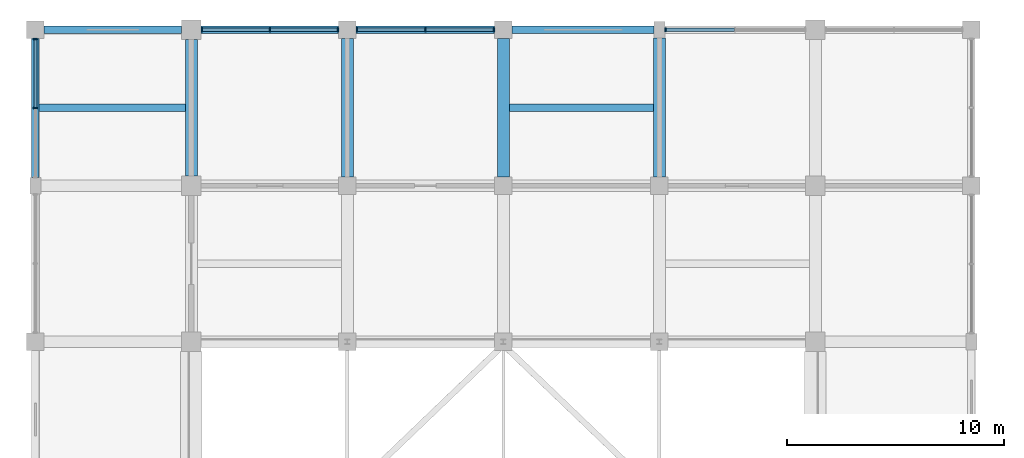
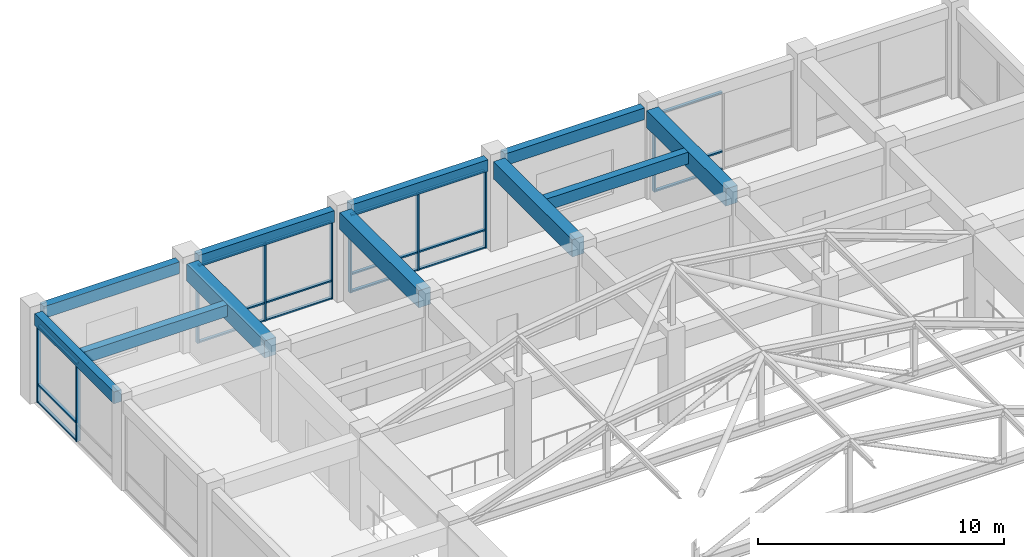
# One storey, part 26 of 75: 27 members, 11 beams, 4 elements without a shape of their own.
"""IFC4 building model written with IfcOpenShell, lengths in metres."""

from ifc_helpers import new_model, si_unit, direction, frame, origin, origin_2d, place, context, subcontext, project, spatial, rectangle, extrude, material, layer, layer_set, material_profile, profile_set, type_object, element, aggregate, save


model = new_model("IFC4")

# Units and contexts
model_context = context("Model", 3, precision=1e-05, world=origin(), true_north=direction((0.0, 1.0)))
body_context = subcontext(model_context, "Body", "Model", "MODEL_VIEW")
ifc_project = project(units=[si_unit("LENGTHUNIT", "METRE"), si_unit("AREAUNIT", "SQUARE_METRE"), si_unit("VOLUMEUNIT", "CUBIC_METRE"), si_unit("PLANEANGLEUNIT", "RADIAN"), si_unit("MASSUNIT", "GRAM", prefix="KILO")], contexts=[model_context])

# Site, building, storey
site_placement = place(None, origin())
site = spatial("IfcSite", under=ifc_project, at=site_placement, CompositionType="ELEMENT")
building_placement = place(site_placement, origin())
building = spatial("IfcBuilding", under=site, at=building_placement, Name="Cendaluz Park School", CompositionType="ELEMENT")
storey_placement = place(building_placement, frame((0.0, 0.0, 4.800048828125)))
storey = spatial("IfcBuildingStorey", under=building, at=storey_placement, Name="L01", CompositionType="ELEMENT", Elevation=4.800048828125)

# Beams
ifc_material_1 = material(Name="Concrete C40/50", Category="concrete")
ifc_material_profile_1 = material_profile(ifc_material_1, rectangle(XDim=0.550048828125, YDim=0.85009765625, at=origin_2d()), Name="RC 550x850", Category="concrete")
ifc_profile_set_1 = profile_set([ifc_material_profile_1], Name="Concrete C40/50")
beam_type_1 = type_object("IfcBeamType", Name="BM-RC01", PredefinedType="BEAM", material=ifc_profile_set_1)
beam_1_placement = place(storey_placement, frame((7.199951171875, 108.449951171875, 4.0048828125), z_axis=(0.0, 1.0, 0.0), x_axis=(-1.0, 0.0, 0.0)))
element("IfcBeam", 1, at=beam_1_placement, inside=storey, type_object=beam_type_1, Name="BM-L01-BMRC01-0248", PredefinedType="BEAM", context=body_context, shape_type="SweptSolid", body=[
    extrude(rectangle(XDim=0.550048828125, YDim=0.85009765625, at=origin_2d()), origin(), (0.0, 0.0, 1.0), 6.300048828125),
])
for number, where, z_axis, x_axis, name in (
    (2, (14.39990234375, 108.39990234375, 4.0048828125), (0.0, 1.0, 0.0), (-1.0, 0.0, 0.0), "BM-L01-BMRC01-0254"),
    (3, (21.60009765625, 108.39990234375, 4.0048828125), (0.0, 1.0, 0.0), (-1.0, 0.0, 0.0), "BM-L01-BMRC01-0260"),
):
    element("IfcBeam", number, at=place(storey_placement, frame(where, z_axis=z_axis, x_axis=x_axis)), inside=storey, type_object=beam_type_1, Name=name, PredefinedType="BEAM", context=body_context, shape_type="SweptSolid", body=[
        extrude(rectangle(XDim=0.550048828125, YDim=0.85009765625, at=origin_2d()), origin(), (0.0, 0.0, 1.0), 6.400146484375),
    ])
beam_2_placement = place(storey_placement, frame((28.800048828125, 108.39990234375, 4.0048828125), z_axis=(0.0, 1.0, 0.0), x_axis=(-1.0, 0.0, 0.0)))
element("IfcBeam", 4, at=beam_2_placement, inside=storey, type_object=beam_type_1, Name="BM-L01-BMRC01-0270", PredefinedType="BEAM", context=body_context, shape_type="SweptSolid", body=[
    extrude(rectangle(XDim=0.550048828125, YDim=0.85009765625, at=origin_2d()), origin(), (0.0, 0.0, 1.0), 6.425048828125),
])
ifc_material_profile_2 = material_profile(ifc_material_1, rectangle(XDim=0.35009765625, YDim=0.580078125, at=origin_2d()), Name="RC 350x580", Category="concrete")
ifc_profile_set_2 = profile_set([ifc_material_profile_2], Name="Concrete C40/50")
beam_type_2 = type_object("IfcBeamType", Name="BM-RC04", PredefinedType="LINTEL", material=ifc_profile_set_2)
for number, where, z_axis, x_axis, name in (
    (5, (0.39990234375, 115.199951171875, 4.139892578125), (1.0, 0.0, 0.0), (0.0, 1.0, 0.0), "BM-L01-BMRC04-0014"),
    (6, (7.64990234375, 115.199951171875, 4.139892578125), (1.0, 0.0, 0.0), (0.0, 1.0, 0.0), "BM-L01-BMRC04-0023"),
):
    element("IfcBeam", number, at=place(storey_placement, frame(where, z_axis=z_axis, x_axis=x_axis)), inside=storey, type_object=beam_type_2, Name=name, PredefinedType="LINTEL", context=body_context, shape_type="SweptSolid", body=[
        extrude(rectangle(XDim=0.35009765625, YDim=0.580078125, at=origin_2d()), origin(), (0.0, 0.0, 1.0), 6.35009765625),
    ])
beam_3_placement = place(storey_placement, frame((14.800048828125, 115.199951171875, 4.139892578125), z_axis=(1.0, 0.0, 0.0), x_axis=(0.0, 1.0, 0.0)))
element("IfcBeam", 7, at=beam_3_placement, inside=storey, type_object=beam_type_2, Name="BM-L01-BMRC04-0032", PredefinedType="LINTEL", context=body_context, shape_type="SweptSolid", body=[
    extrude(rectangle(XDim=0.35009765625, YDim=0.580078125, at=origin_2d()), origin(), (0.0, 0.0, 1.0), 6.39990234375),
])
beam_4_placement = place(storey_placement, frame((22.0, 115.199951171875, 4.139892578125), z_axis=(1.0, 0.0, 0.0), x_axis=(0.0, 1.0, 0.0)))
element("IfcBeam", 8, at=beam_4_placement, inside=storey, type_object=beam_type_2, Name="BM-L01-BMRC04-0041", PredefinedType="LINTEL", context=body_context, shape_type="SweptSolid", body=[
    extrude(rectangle(XDim=0.35009765625, YDim=0.580078125, at=origin_2d()), origin(), (0.0, 0.0, 1.0), 6.550048828125),
])
beam_5_placement = place(storey_placement, frame((0.0, 108.375, 4.139892578125), z_axis=(0.0, 1.0, 0.0), x_axis=(-1.0, 0.0, 0.0)))
element("IfcBeam", 9, at=beam_5_placement, inside=storey, type_object=beam_type_2, Name="BM-L01-BMRC04-0236", PredefinedType="LINTEL", context=body_context, shape_type="SweptSolid", body=[
    extrude(rectangle(XDim=0.35009765625, YDim=0.580078125, at=origin_2d()), origin(), (0.0, 0.0, 1.0), 6.425048828125),
])

# Curtain wall, members
ifc_material_2 = material(Name="Anodised Aluminium 6063-T6", Category="aluminium")
ifc_layer_1 = layer(ifc_material_2, 0.179931640625)
ifc_layer_set_1 = layer_set([ifc_layer_1], Name="Anodised Aluminium 6063-T6")
curtain_wall_type_1 = type_object("IfcCurtainWallType", Name="CW-128x77", PredefinedType="NOTDEFINED", material=ifc_layer_set_1)
curtain_wall_1_placement = place(storey_placement, origin())
curtain_wall_1 = element("IfcCurtainWall", 10, at=curtain_wall_1_placement, inside=storey, type_object=curtain_wall_type_1, Name="CW-L01-011", PredefinedType="NOTDEFINED")
ifc_material_profile_3 = material_profile(ifc_material_2, rectangle(XDim=0.179931640625, YDim=0.070068359375, at=origin_2d()), Name="CWM 180x70", Category="aluminium")
ifc_profile_set_3 = profile_set([ifc_material_profile_3], Name="Anodised Aluminium 6063-T6")
member_type_1 = type_object("IfcMemberType", Name="CWM-01", PredefinedType="MULLION", material=ifc_profile_set_3)
member_1_placement = place(storey_placement, frame((0.0, 111.58740234375, 0.0), z_axis=(0.0, 0.0, 1.0), x_axis=(-1.0, 0.0, 0.0)))
member_1 = element("IfcMember", 11, at=member_1_placement, type_object=member_type_1, Name="CP-L01-0132", PredefinedType="MULLION", context=body_context, shape_type="SweptSolid", body=[
    extrude(rectangle(XDim=0.179931640625, YDim=0.070068359375, at=origin_2d()), origin(), (0.0, 0.0, 1.0), 3.849853515625),
])
member_2_placement = place(storey_placement, frame((0.0, 114.764892578125, 0.0), z_axis=(0.0, 0.0, 1.0), x_axis=(-1.0, 0.0, 0.0)))
member_2 = element("IfcMember", 12, at=member_2_placement, type_object=member_type_1, Name="CP-L01-0133", PredefinedType="MULLION", context=body_context, shape_type="SweptSolid", body=[
    extrude(rectangle(XDim=0.179931640625, YDim=0.070068359375, at=origin_2d()), origin(), (0.0, 0.0, 1.0), 3.849853515625),
])

ifc_layer_2 = layer(ifc_material_2, 0.179931640625)
ifc_layer_set_2 = layer_set([ifc_layer_2], Name="Anodised Aluminium 6063-T6")
curtain_wall_type_2 = type_object("IfcCurtainWallType", Name="CW-127x77", PredefinedType="NOTDEFINED", material=ifc_layer_set_2)
curtain_wall_2_placement = place(storey_placement, origin())
curtain_wall_2 = element("IfcCurtainWall", 13, at=curtain_wall_2_placement, inside=storey, type_object=curtain_wall_type_2, Name="CW-L01-014", PredefinedType="NOTDEFINED")
member_3_placement = place(storey_placement, frame((7.68505859375, 115.199951171875, 0.0), z_axis=(0.0, 0.0, 1.0), x_axis=(0.0, 1.0, 0.0)))
member_3 = element("IfcMember", 14, at=member_3_placement, type_object=member_type_1, Name="CP-L01-0170", PredefinedType="MULLION", context=body_context, shape_type="SweptSolid", body=[
    extrude(rectangle(XDim=0.179931640625, YDim=0.070068359375, at=origin_2d()), origin(), (0.0, 0.0, 1.0), 3.849853515625),
])
member_4_placement = place(storey_placement, frame((10.824951171875, 115.199951171875, 0.0), z_axis=(0.0, 0.0, 1.0), x_axis=(0.0, 1.0, 0.0)))
member_4 = element("IfcMember", 15, at=member_4_placement, type_object=member_type_1, Name="CP-L01-0171", PredefinedType="MULLION", context=body_context, shape_type="SweptSolid", body=[
    extrude(rectangle(XDim=0.179931640625, YDim=0.070068359375, at=origin_2d()), origin(), (0.0, 0.0, 1.0), 3.849853515625),
])
member_5_placement = place(storey_placement, frame((13.965087890625, 115.199951171875, 0.0), z_axis=(0.0, 0.0, 1.0), x_axis=(0.0, 1.0, 0.0)))
member_5 = element("IfcMember", 16, at=member_5_placement, type_object=member_type_1, Name="CP-L01-0172", PredefinedType="MULLION", context=body_context, shape_type="SweptSolid", body=[
    extrude(rectangle(XDim=0.179931640625, YDim=0.070068359375, at=origin_2d()), origin(), (0.0, 0.0, 1.0), 3.849853515625),
])

curtain_wall_3_placement = place(storey_placement, origin())
curtain_wall_3 = element("IfcCurtainWall", 17, at=curtain_wall_3_placement, inside=storey, type_object=curtain_wall_type_1, Name="CW-L01-017", PredefinedType="NOTDEFINED")
member_6_placement = place(storey_placement, frame((14.8349609375, 115.199951171875, 0.0), z_axis=(0.0, 0.0, 1.0), x_axis=(0.0, 1.0, 0.0)))
member_6 = element("IfcMember", 18, at=member_6_placement, type_object=member_type_1, Name="CP-L01-0209", PredefinedType="MULLION", context=body_context, shape_type="SweptSolid", body=[
    extrude(rectangle(XDim=0.179931640625, YDim=0.070068359375, at=origin_2d()), origin(), (0.0, 0.0, 1.0), 3.849853515625),
])
member_7_placement = place(storey_placement, frame((18.0, 115.199951171875, 0.0), z_axis=(0.0, 0.0, 1.0), x_axis=(0.0, 1.0, 0.0)))
member_7 = element("IfcMember", 19, at=member_7_placement, type_object=member_type_1, Name="CP-L01-0210", PredefinedType="MULLION", context=body_context, shape_type="SweptSolid", body=[
    extrude(rectangle(XDim=0.179931640625, YDim=0.070068359375, at=origin_2d()), origin(), (0.0, 0.0, 1.0), 3.849853515625),
])
member_8_placement = place(storey_placement, frame((21.1650390625, 115.199951171875, 0.0), z_axis=(0.0, 0.0, 1.0), x_axis=(0.0, 1.0, 0.0)))
member_8 = element("IfcMember", 20, at=member_8_placement, type_object=member_type_1, Name="CP-L01-0211", PredefinedType="MULLION", context=body_context, shape_type="SweptSolid", body=[
    extrude(rectangle(XDim=0.179931640625, YDim=0.070068359375, at=origin_2d()), origin(), (0.0, 0.0, 1.0), 3.849853515625),
])

# Curtain wall, member
ifc_layer_3 = layer(ifc_material_2, 0.179931640625)
ifc_layer_set_3 = layer_set([ifc_layer_3], Name="Anodised Aluminium 6063-T6")
curtain_wall_type_3 = type_object("IfcCurtainWallType", Name="CW-130x77", PredefinedType="NOTDEFINED", material=ifc_layer_set_3)
curtain_wall_4_placement = place(storey_placement, origin())
curtain_wall_4 = element("IfcCurtainWall", 21, at=curtain_wall_4_placement, inside=storey, type_object=curtain_wall_type_3, Name="CW-L01-022", PredefinedType="NOTDEFINED")
member_9_placement = place(storey_placement, frame((29.0849609375, 115.199951171875, 0.0), z_axis=(0.0, 0.0, 1.0), x_axis=(0.0, 1.0, 0.0)))
member_9 = element("IfcMember", 22, at=member_9_placement, type_object=member_type_1, Name="CP-L01-0274", PredefinedType="MULLION", context=body_context, shape_type="SweptSolid", body=[
    extrude(rectangle(XDim=0.179931640625, YDim=0.070068359375, at=origin_2d()), origin(), (0.0, 0.0, 1.0), 3.849853515625),
])

# Member
ifc_material_profile_4 = material_profile(ifc_material_2, rectangle(XDim=0.139892578125, YDim=0.070068359375, at=origin_2d()), Name="CWT 140x70", Category="aluminium")
ifc_profile_set_4 = profile_set([ifc_material_profile_4], Name="Anodised Aluminium 6063-T6")
member_type_2 = type_object("IfcMemberType", Name="CWT-01", PredefinedType="USERDEFINED", material=ifc_profile_set_4)
member_10_placement = place(storey_placement, frame((0.0, 111.62255859375, 0.034912109375), z_axis=(0.0, 1.0, 0.0), x_axis=(-1.0, 0.0, 0.0)))
member_10 = element("IfcMember", 23, at=member_10_placement, type_object=member_type_2, Name="CP-L01-0139", ObjectType="TRANSOM", PredefinedType="USERDEFINED", context=body_context, shape_type="SweptSolid", body=[
    extrude(rectangle(XDim=0.139892578125, YDim=0.070068359375, at=origin_2d()), origin(), (0.0, 0.0, 1.0), 3.107421875),
])

member_11_placement = place(storey_placement, frame((0.0, 111.62255859375, 0.89990234375), z_axis=(0.0, 1.0, 0.0), x_axis=(-1.0, 0.0, 0.0)))
member_11 = element("IfcMember", 24, at=member_11_placement, type_object=member_type_2, Name="CP-L01-0140", ObjectType="TRANSOM", PredefinedType="USERDEFINED", context=body_context, shape_type="SweptSolid", body=[
    extrude(rectangle(XDim=0.139892578125, YDim=0.070068359375, at=origin_2d()), origin(), (0.0, 0.0, 1.0), 3.107421875),
])

member_12_placement = place(storey_placement, frame((0.0, 111.62255859375, 3.81494140625), z_axis=(0.0, 1.0, 0.0), x_axis=(-1.0, 0.0, 0.0)))
member_12 = element("IfcMember", 25, at=member_12_placement, type_object=member_type_2, Name="CP-L01-0141", ObjectType="TRANSOM", PredefinedType="USERDEFINED", context=body_context, shape_type="SweptSolid", body=[
    extrude(rectangle(XDim=0.139892578125, YDim=0.070068359375, at=origin_2d()), origin(), (0.0, 0.0, 1.0), 3.107421875),
])

aggregate(curtain_wall_1, [member_1, member_2, member_10, member_11, member_12])

member_13_placement = place(storey_placement, frame((7.719970703125, 115.199951171875, 0.034912109375), z_axis=(1.0, 0.0, 0.0), x_axis=(0.0, 1.0, 0.0)))
member_13 = element("IfcMember", 26, at=member_13_placement, type_object=member_type_2, Name="CP-L01-0173", ObjectType="TRANSOM", PredefinedType="USERDEFINED", context=body_context, shape_type="SweptSolid", body=[
    extrude(rectangle(XDim=0.139892578125, YDim=0.070068359375, at=origin_2d()), origin(), (0.0, 0.0, 1.0), 3.070068359375),
])

member_14_placement = place(storey_placement, frame((7.719970703125, 115.199951171875, 0.89990234375), z_axis=(1.0, 0.0, 0.0), x_axis=(0.0, 1.0, 0.0)))
member_14 = element("IfcMember", 27, at=member_14_placement, type_object=member_type_2, Name="CP-L01-0174", ObjectType="TRANSOM", PredefinedType="USERDEFINED", context=body_context, shape_type="SweptSolid", body=[
    extrude(rectangle(XDim=0.139892578125, YDim=0.070068359375, at=origin_2d()), origin(), (0.0, 0.0, 1.0), 3.070068359375),
])

member_15_placement = place(storey_placement, frame((7.719970703125, 115.199951171875, 3.81494140625), z_axis=(1.0, 0.0, 0.0), x_axis=(0.0, 1.0, 0.0)))
member_15 = element("IfcMember", 28, at=member_15_placement, type_object=member_type_2, Name="CP-L01-0175", ObjectType="TRANSOM", PredefinedType="USERDEFINED", context=body_context, shape_type="SweptSolid", body=[
    extrude(rectangle(XDim=0.139892578125, YDim=0.070068359375, at=origin_2d()), origin(), (0.0, 0.0, 1.0), 3.070068359375),
])

member_16_placement = place(storey_placement, frame((10.860107421875, 115.199951171875, 0.034912109375), z_axis=(1.0, 0.0, 0.0), x_axis=(0.0, 1.0, 0.0)))
member_16 = element("IfcMember", 29, at=member_16_placement, type_object=member_type_2, Name="CP-L01-0178", ObjectType="TRANSOM", PredefinedType="USERDEFINED", context=body_context, shape_type="SweptSolid", body=[
    extrude(rectangle(XDim=0.139892578125, YDim=0.070068359375, at=origin_2d()), origin(), (0.0, 0.0, 1.0), 3.06982421875),
])

member_17_placement = place(storey_placement, frame((10.860107421875, 115.199951171875, 0.89990234375), z_axis=(1.0, 0.0, 0.0), x_axis=(0.0, 1.0, 0.0)))
member_17 = element("IfcMember", 30, at=member_17_placement, type_object=member_type_2, Name="CP-L01-0179", ObjectType="TRANSOM", PredefinedType="USERDEFINED", context=body_context, shape_type="SweptSolid", body=[
    extrude(rectangle(XDim=0.139892578125, YDim=0.070068359375, at=origin_2d()), origin(), (0.0, 0.0, 1.0), 3.06982421875),
])

member_18_placement = place(storey_placement, frame((10.860107421875, 115.199951171875, 3.81494140625), z_axis=(1.0, 0.0, 0.0), x_axis=(0.0, 1.0, 0.0)))
member_18 = element("IfcMember", 31, at=member_18_placement, type_object=member_type_2, Name="CP-L01-0180", ObjectType="TRANSOM", PredefinedType="USERDEFINED", context=body_context, shape_type="SweptSolid", body=[
    extrude(rectangle(XDim=0.139892578125, YDim=0.070068359375, at=origin_2d()), origin(), (0.0, 0.0, 1.0), 3.06982421875),
])

aggregate(curtain_wall_2, [member_3, member_4, member_5, member_13, member_14, member_15, member_16, member_17, member_18])

member_19_placement = place(storey_placement, frame((14.8701171875, 115.199951171875, 0.034912109375), z_axis=(1.0, 0.0, 0.0), x_axis=(0.0, 1.0, 0.0)))
member_19 = element("IfcMember", 32, at=member_19_placement, type_object=member_type_2, Name="CP-L01-0212", ObjectType="TRANSOM", PredefinedType="USERDEFINED", context=body_context, shape_type="SweptSolid", body=[
    extrude(rectangle(XDim=0.139892578125, YDim=0.070068359375, at=origin_2d()), origin(), (0.0, 0.0, 1.0), 3.094970703125),
])

member_20_placement = place(storey_placement, frame((14.8701171875, 115.199951171875, 0.89990234375), z_axis=(1.0, 0.0, 0.0), x_axis=(0.0, 1.0, 0.0)))
member_20 = element("IfcMember", 33, at=member_20_placement, type_object=member_type_2, Name="CP-L01-0213", ObjectType="TRANSOM", PredefinedType="USERDEFINED", context=body_context, shape_type="SweptSolid", body=[
    extrude(rectangle(XDim=0.139892578125, YDim=0.070068359375, at=origin_2d()), origin(), (0.0, 0.0, 1.0), 3.094970703125),
])

member_21_placement = place(storey_placement, frame((14.8701171875, 115.199951171875, 3.81494140625), z_axis=(1.0, 0.0, 0.0), x_axis=(0.0, 1.0, 0.0)))
member_21 = element("IfcMember", 34, at=member_21_placement, type_object=member_type_2, Name="CP-L01-0214", ObjectType="TRANSOM", PredefinedType="USERDEFINED", context=body_context, shape_type="SweptSolid", body=[
    extrude(rectangle(XDim=0.139892578125, YDim=0.070068359375, at=origin_2d()), origin(), (0.0, 0.0, 1.0), 3.094970703125),
])

member_22_placement = place(storey_placement, frame((18.034912109375, 115.199951171875, 0.034912109375), z_axis=(1.0, 0.0, 0.0), x_axis=(0.0, 1.0, 0.0)))
member_22 = element("IfcMember", 35, at=member_22_placement, type_object=member_type_2, Name="CP-L01-0217", ObjectType="TRANSOM", PredefinedType="USERDEFINED", context=body_context, shape_type="SweptSolid", body=[
    extrude(rectangle(XDim=0.139892578125, YDim=0.070068359375, at=origin_2d()), origin(), (0.0, 0.0, 1.0), 3.094970703125),
])

member_23_placement = place(storey_placement, frame((18.034912109375, 115.199951171875, 0.89990234375), z_axis=(1.0, 0.0, 0.0), x_axis=(0.0, 1.0, 0.0)))
member_23 = element("IfcMember", 36, at=member_23_placement, type_object=member_type_2, Name="CP-L01-0218", ObjectType="TRANSOM", PredefinedType="USERDEFINED", context=body_context, shape_type="SweptSolid", body=[
    extrude(rectangle(XDim=0.139892578125, YDim=0.070068359375, at=origin_2d()), origin(), (0.0, 0.0, 1.0), 3.094970703125),
])

member_24_placement = place(storey_placement, frame((18.034912109375, 115.199951171875, 3.81494140625), z_axis=(1.0, 0.0, 0.0), x_axis=(0.0, 1.0, 0.0)))
member_24 = element("IfcMember", 37, at=member_24_placement, type_object=member_type_2, Name="CP-L01-0219", ObjectType="TRANSOM", PredefinedType="USERDEFINED", context=body_context, shape_type="SweptSolid", body=[
    extrude(rectangle(XDim=0.139892578125, YDim=0.070068359375, at=origin_2d()), origin(), (0.0, 0.0, 1.0), 3.094970703125),
])

aggregate(curtain_wall_3, [member_6, member_7, member_8, member_19, member_20, member_21, member_22, member_23, member_24])

member_25_placement = place(storey_placement, frame((29.1201171875, 115.199951171875, 0.034912109375), z_axis=(1.0, 0.0, 0.0), x_axis=(0.0, 1.0, 0.0)))
member_25 = element("IfcMember", 38, at=member_25_placement, type_object=member_type_2, Name="CP-L01-0277", ObjectType="TRANSOM", PredefinedType="USERDEFINED", context=body_context, shape_type="SweptSolid", body=[
    extrude(rectangle(XDim=0.139892578125, YDim=0.070068359375, at=origin_2d()), origin(), (0.0, 0.0, 1.0), 3.144775390625),
])

member_26_placement = place(storey_placement, frame((29.1201171875, 115.199951171875, 0.89990234375), z_axis=(1.0, 0.0, 0.0), x_axis=(0.0, 1.0, 0.0)))
member_26 = element("IfcMember", 39, at=member_26_placement, type_object=member_type_2, Name="CP-L01-0278", ObjectType="TRANSOM", PredefinedType="USERDEFINED", context=body_context, shape_type="SweptSolid", body=[
    extrude(rectangle(XDim=0.139892578125, YDim=0.070068359375, at=origin_2d()), origin(), (0.0, 0.0, 1.0), 3.144775390625),
])

member_27_placement = place(storey_placement, frame((29.1201171875, 115.199951171875, 3.81494140625), z_axis=(1.0, 0.0, 0.0), x_axis=(0.0, 1.0, 0.0)))
member_27 = element("IfcMember", 40, at=member_27_placement, type_object=member_type_2, Name="CP-L01-0279", ObjectType="TRANSOM", PredefinedType="USERDEFINED", context=body_context, shape_type="SweptSolid", body=[
    extrude(rectangle(XDim=0.139892578125, YDim=0.070068359375, at=origin_2d()), origin(), (0.0, 0.0, 1.0), 3.144775390625),
])

aggregate(curtain_wall_4, [member_9, member_25, member_26, member_27])

# Beams
ifc_material_profile_5 = material_profile(ifc_material_1, rectangle(XDim=0.35009765625, YDim=0.580078125, at=origin_2d()), Name="RC 350x580", Category="concrete")
ifc_profile_set_5 = profile_set([ifc_material_profile_5], Name="Concrete C40/50")
beam_type_3 = type_object("IfcBeamType", Name="JT-RC01", PredefinedType="JOIST", material=ifc_profile_set_5)
beam_6_placement = place(storey_placement, frame((0.175048828125, 111.60009765625, 4.139892578125), z_axis=(1.0, 0.0, 0.0), x_axis=(0.0, 1.0, 0.0)))
element("IfcBeam", 41, at=beam_6_placement, inside=storey, type_object=beam_type_3, Name="BM-L01-JTRC01-0469", PredefinedType="JOIST", context=body_context, shape_type="SweptSolid", body=[
    extrude(rectangle(XDim=0.35009765625, YDim=0.580078125, at=origin_2d()), origin(), (0.0, 0.0, 1.0), 6.75),
])
beam_7_placement = place(storey_placement, frame((21.875, 111.60009765625, 4.139892578125), z_axis=(1.0, 0.0, 0.0), x_axis=(0.0, 1.0, 0.0)))
element("IfcBeam", 42, at=beam_7_placement, inside=storey, type_object=beam_type_3, Name="BM-L01-JTRC01-0475", PredefinedType="JOIST", context=body_context, shape_type="SweptSolid", body=[
    extrude(rectangle(XDim=0.35009765625, YDim=0.580078125, at=origin_2d()), origin(), (0.0, 0.0, 1.0), 6.64990234375),
])

save(model, "model.ifc")
